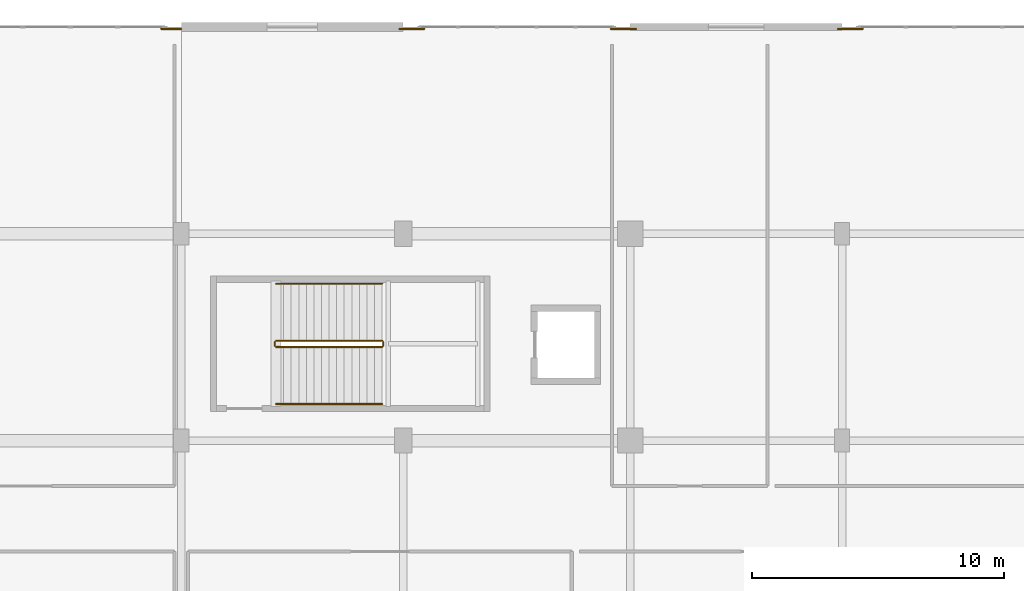
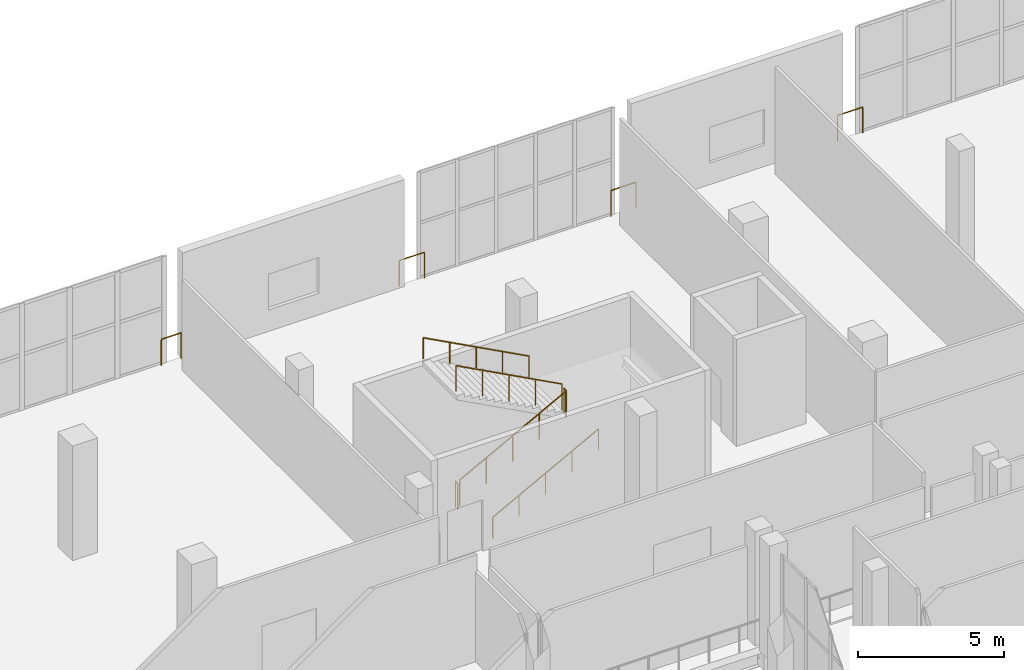
# One storey, part 141 of 142: 10 railings.
"""IFC4 building model written with IfcOpenShell, lengths in metres."""

from ifc_helpers import new_model, si_unit, direction, frame, origin, origin_2d, place, context, subcontext, project, spatial, circle, extrude, material, type_object, element, save


model = new_model("IFC4")

# Units and contexts
model_context = context("Model", 3, precision=1e-05, world=origin(), true_north=direction((0.0, 1.0)))
body_context = subcontext(model_context, "Body", "Model", "MODEL_VIEW")
ifc_project = project(units=[si_unit("LENGTHUNIT", "METRE"), si_unit("AREAUNIT", "SQUARE_METRE"), si_unit("VOLUMEUNIT", "CUBIC_METRE"), si_unit("PLANEANGLEUNIT", "RADIAN"), si_unit("MASSUNIT", "GRAM", prefix="KILO")], contexts=[model_context])

# Site, building, storey
site_placement = place(None, origin())
site = spatial("IfcSite", under=ifc_project, at=site_placement, CompositionType="ELEMENT")
building_placement = place(site_placement, origin())
building = spatial("IfcBuilding", under=site, at=building_placement, Name="Koshinbarg Plaza Stadium", CompositionType="ELEMENT")
storey_placement = place(building_placement, frame((0.0, 0.0, 10.199951171875)))
storey = spatial("IfcBuildingStorey", under=building, at=storey_placement, Name="L02", CompositionType="ELEMENT", Elevation=10.199951171875)

# Railings
ifc_material_1 = material(Name="Toughened laminated glass and stainless steel sightline balustrade", Category="steel")
railing_type_1 = type_object("IfcRailingType", Name="RL-BOWL-1100", PredefinedType="BALUSTRADE", material=ifc_material_1)
railing_1_placement = place(storey_placement, frame((170.800537109375, 151.919921875, 0.0)))
element("IfcRailing", 1, at=railing_1_placement, inside=storey, type_object=railing_type_1, Name="L02 deck edge safety balustrade 0167", PredefinedType="BALUSTRADE", context=body_context, shape_type="SweptSolid", body=[
    extrude(circle(Radius=0.02392578125, at=origin_2d()), frame((0.0, 0.0, 1.076171875), z_axis=(1.0, 0.0, 0.0), x_axis=(0.0, 1.0, 0.0)), (0.0, 0.0, 1.0), 0.799560546875),
    extrude(circle(Radius=0.02099609375, at=origin_2d()), origin(), (0.0, 0.0, 1.0), 1.052001953125),
    extrude(circle(Radius=0.02099609375, at=origin_2d()), frame((0.799560546875, 0.0, 0.0)), (0.0, 0.0, 1.0), 1.052001953125),
])
railing_2_placement = place(storey_placement, frame((180.24169921875, 151.919921875, 0.0)))
element("IfcRailing", 2, at=railing_2_placement, inside=storey, type_object=railing_type_1, Name="L02 deck edge safety balustrade 0168", PredefinedType="BALUSTRADE", context=body_context, shape_type="SweptSolid", body=[
    extrude(circle(Radius=0.02392578125, at=origin_2d()), frame((0.0, 0.0, 1.076171875), z_axis=(1.0, 0.0, 0.0), x_axis=(0.0, 1.0, 0.0)), (0.0, 0.0, 1.0), 0.999267578125),
    extrude(circle(Radius=0.02099609375, at=origin_2d()), origin(), (0.0, 0.0, 1.0), 1.052001953125),
    extrude(circle(Radius=0.02099609375, at=origin_2d()), frame((0.999267578125, 0.0, 0.0)), (0.0, 0.0, 1.0), 1.052001953125),
])
for number, where, name in (
    (3, (188.633544921875, 151.919921875, 0.0), "L02 deck edge safety balustrade 0169"),
    (4, (197.625, 151.919921875, 0.0), "L02 deck edge safety balustrade 0170"),
):
    element("IfcRailing", number, at=place(storey_placement, frame(where)), inside=storey, type_object=railing_type_1, Name=name, PredefinedType="BALUSTRADE", context=body_context, shape_type="SweptSolid", body=[
        extrude(circle(Radius=0.02392578125, at=origin_2d()), frame((0.0, 0.0, 1.076171875), z_axis=(1.0, 0.0, 0.0), x_axis=(0.0, 1.0, 0.0)), (0.0, 0.0, 1.0), 0.99951171875),
        extrude(circle(Radius=0.02099609375, at=origin_2d()), origin(), (0.0, 0.0, 1.0), 1.052001953125),
        extrude(circle(Radius=0.02099609375, at=origin_2d()), frame((0.99951171875, 0.0, 0.0)), (0.0, 0.0, 1.0), 1.052001953125),
    ])
ifc_material_2 = material(Name="Galvanized painted steel guardrail", Category="steel")
railing_type_2 = type_object("IfcRailingType", Name="RL-GUARD-1100", PredefinedType="GUARDRAIL", material=ifc_material_2)
railing_3_placement = place(storey_placement, frame((175.360107421875, 139.31005859375, 0.16015625)))
element("IfcRailing", 5, at=railing_3_placement, inside=storey, type_object=railing_type_2, Name="L02 C12 stair guard 1", PredefinedType="GUARDRAIL", context=body_context, shape_type="SweptSolid", body=[
    extrude(circle(Radius=0.02392578125, at=origin_2d()), frame((0.0, 0.0, 1.076171875), z_axis=(0.882351521365, 0.0, 0.470590897432), x_axis=(0.0, 1.0, 0.0)), (0.0, 0.0, 1.0), 4.760009765625),
    extrude(circle(Radius=0.02099609375, at=origin_2d()), origin(), (0.0, 0.0, 1.0), 1.052001953125),
    extrude(circle(Radius=0.02099609375, at=origin_2d()), frame((1.050048828125, 0.0, 0.56005859375)), (0.0, 0.0, 1.0), 1.052001953125),
    extrude(circle(Radius=0.02099609375, at=origin_2d()), frame((2.10009765625, 0.0, 1.1201171875)), (0.0, 0.0, 1.0), 1.052001953125),
    extrude(circle(Radius=0.02099609375, at=origin_2d()), frame((3.14990234375, 0.0, 1.679931640625)), (0.0, 0.0, 1.0), 1.052001953125),
    extrude(circle(Radius=0.02099609375, at=origin_2d()), frame((4.199951171875, 0.0, 2.239990234375)), (0.0, 0.0, 1.0), 1.052001953125),
])
railing_4_placement = place(storey_placement, frame((179.610107421875, 139.360107421875, 2.400146484375)))
element("IfcRailing", 6, at=railing_4_placement, inside=storey, type_object=railing_type_2, Name="L02 C12 stair guard 2", PredefinedType="GUARDRAIL", context=body_context, shape_type="SweptSolid", body=[
    extrude(circle(Radius=0.02392578125, at=origin_2d()), frame((0.0, 0.0, 1.076171875), z_axis=(0.0, 1.0, 0.0), x_axis=(-1.0, 0.0, 0.0)), (0.0, 0.0, 1.0), 0.14990234375),
    extrude(circle(Radius=0.02099609375, at=origin_2d()), origin(), (0.0, 0.0, 1.0), 1.052001953125),
    extrude(circle(Radius=0.02099609375, at=origin_2d()), frame((0.0, 0.14990234375, 0.0)), (0.0, 0.0, 1.0), 1.052001953125),
])
railing_5_placement = place(storey_placement, frame((179.56005859375, 139.56005859375, 2.56005859375)))
element("IfcRailing", 7, at=railing_5_placement, inside=storey, type_object=railing_type_2, Name="L02 C12 stair guard 3", PredefinedType="GUARDRAIL", context=body_context, shape_type="SweptSolid", body=[
    extrude(circle(Radius=0.02392578125, at=origin_2d()), frame((0.0, 0.0, 1.076171875), z_axis=(-0.882351521365, 0.0, 0.470590897432), x_axis=(0.0, -1.0, 0.0)), (0.0, 0.0, 1.0), 4.760009765625),
    extrude(circle(Radius=0.02099609375, at=origin_2d()), origin(), (0.0, 0.0, 1.0), 1.052001953125),
    extrude(circle(Radius=0.02099609375, at=origin_2d()), frame((-1.050048828125, 0.0, 0.56005859375)), (0.0, 0.0, 1.0), 1.052001953125),
    extrude(circle(Radius=0.02099609375, at=origin_2d()), frame((-2.10009765625, 0.0, 1.1201171875)), (0.0, 0.0, 1.0), 1.052001953125),
    extrude(circle(Radius=0.02099609375, at=origin_2d()), frame((-3.14990234375, 0.0, 1.679931640625)), (0.0, 0.0, 1.0), 1.052001953125),
    extrude(circle(Radius=0.02099609375, at=origin_2d()), frame((-4.199951171875, 0.0, 2.239990234375)), (0.0, 0.0, 1.0), 1.052001953125),
])
railing_6_placement = place(storey_placement, frame((175.31005859375, 139.360107421875, 0.0)))
element("IfcRailing", 8, at=railing_6_placement, inside=storey, type_object=railing_type_2, Name="L02 C12 stair guard 4", PredefinedType="GUARDRAIL", context=body_context, shape_type="SweptSolid", body=[
    extrude(circle(Radius=0.02392578125, at=origin_2d()), frame((0.0, 0.0, 1.076171875), z_axis=(0.0, 1.0, 0.0), x_axis=(-1.0, 0.0, 0.0)), (0.0, 0.0, 1.0), 0.14990234375),
    extrude(circle(Radius=0.02099609375, at=origin_2d()), origin(), (0.0, 0.0, 1.0), 1.052001953125),
    extrude(circle(Radius=0.02099609375, at=origin_2d()), frame((0.0, 0.14990234375, 0.0)), (0.0, 0.0, 1.0), 1.052001953125),
])
ifc_material_3 = material(Name="Brushed stainless steel handrail", Category="steel")
railing_type_3 = type_object("IfcRailingType", Name="RL-HAND-900", PredefinedType="HANDRAIL", material=ifc_material_3)
railing_7_placement = place(storey_placement, frame((175.360107421875, 137.050048828125, 0.16015625)))
element("IfcRailing", 9, at=railing_7_placement, inside=storey, type_object=railing_type_3, Name="L02 C12 stair handrail 1", PredefinedType="HANDRAIL", context=body_context, shape_type="SweptSolid", body=[
    extrude(circle(Radius=0.02392578125, at=origin_2d()), frame((0.0, 0.0, 0.8759765625), z_axis=(0.882351521365, 0.0, 0.470590897432), x_axis=(0.0, 1.0, 0.0)), (0.0, 0.0, 1.0), 4.760009765625),
    extrude(circle(Radius=0.02099609375, at=origin_2d()), origin(), (0.0, 0.0, 1.0), 0.851806640625),
    extrude(circle(Radius=0.02099609375, at=origin_2d()), frame((1.050048828125, 0.0, 0.56005859375)), (0.0, 0.0, 1.0), 0.851806640625),
    extrude(circle(Radius=0.02099609375, at=origin_2d()), frame((2.10009765625, 0.0, 1.1201171875)), (0.0, 0.0, 1.0), 0.851806640625),
    extrude(circle(Radius=0.02099609375, at=origin_2d()), frame((3.14990234375, 0.0, 1.679931640625)), (0.0, 0.0, 1.0), 0.851806640625),
    extrude(circle(Radius=0.02099609375, at=origin_2d()), frame((4.199951171875, 0.0, 2.239990234375)), (0.0, 0.0, 1.0), 0.851806640625),
])
railing_8_placement = place(storey_placement, frame((179.56005859375, 141.820068359375, 2.56005859375)))
element("IfcRailing", 10, at=railing_8_placement, inside=storey, type_object=railing_type_3, Name="L02 C12 stair handrail 2", PredefinedType="HANDRAIL", context=body_context, shape_type="SweptSolid", body=[
    extrude(circle(Radius=0.02392578125, at=origin_2d()), frame((0.0, 0.0, 0.8759765625), z_axis=(-0.882351521365, 0.0, 0.470590897432), x_axis=(0.0, -1.0, 0.0)), (0.0, 0.0, 1.0), 4.760009765625),
    extrude(circle(Radius=0.02099609375, at=origin_2d()), origin(), (0.0, 0.0, 1.0), 0.851806640625),
    extrude(circle(Radius=0.02099609375, at=origin_2d()), frame((-1.050048828125, 0.0, 0.56005859375)), (0.0, 0.0, 1.0), 0.851806640625),
    extrude(circle(Radius=0.02099609375, at=origin_2d()), frame((-2.10009765625, 0.0, 1.1201171875)), (0.0, 0.0, 1.0), 0.851806640625),
    extrude(circle(Radius=0.02099609375, at=origin_2d()), frame((-3.14990234375, 0.0, 1.679931640625)), (0.0, 0.0, 1.0), 0.851806640625),
    extrude(circle(Radius=0.02099609375, at=origin_2d()), frame((-4.199951171875, 0.0, 2.239990234375)), (0.0, 0.0, 1.0), 0.851806640625),
])

save(model, "model.ifc")
